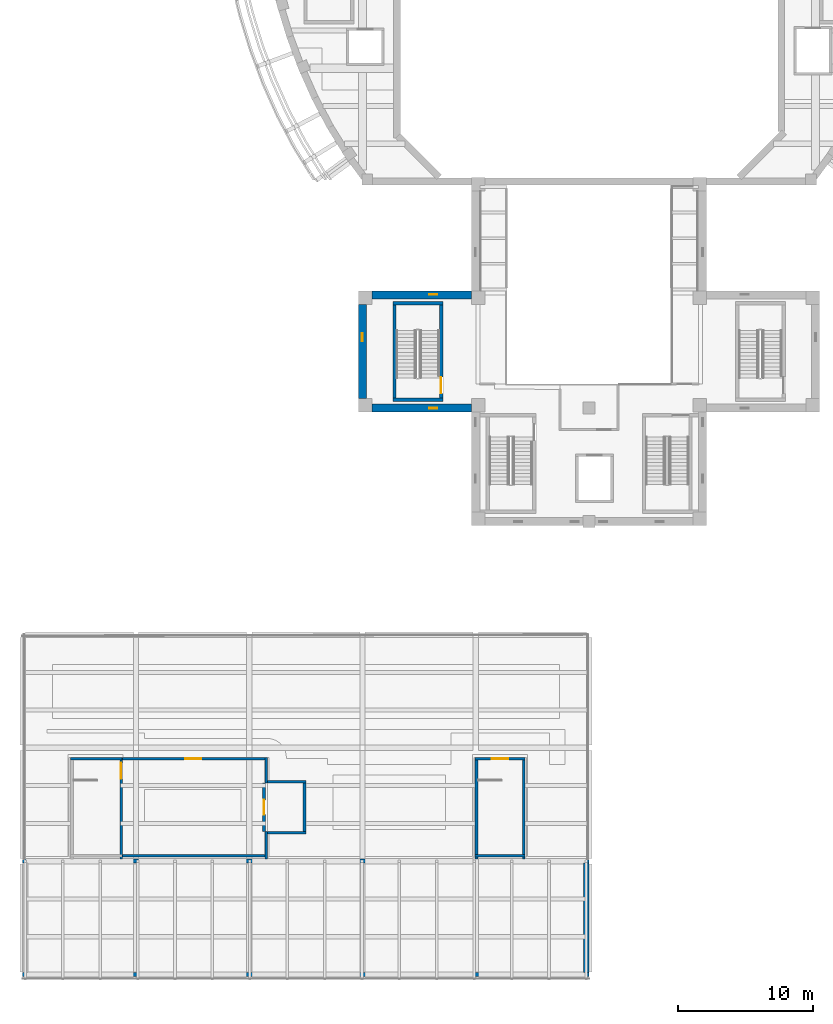
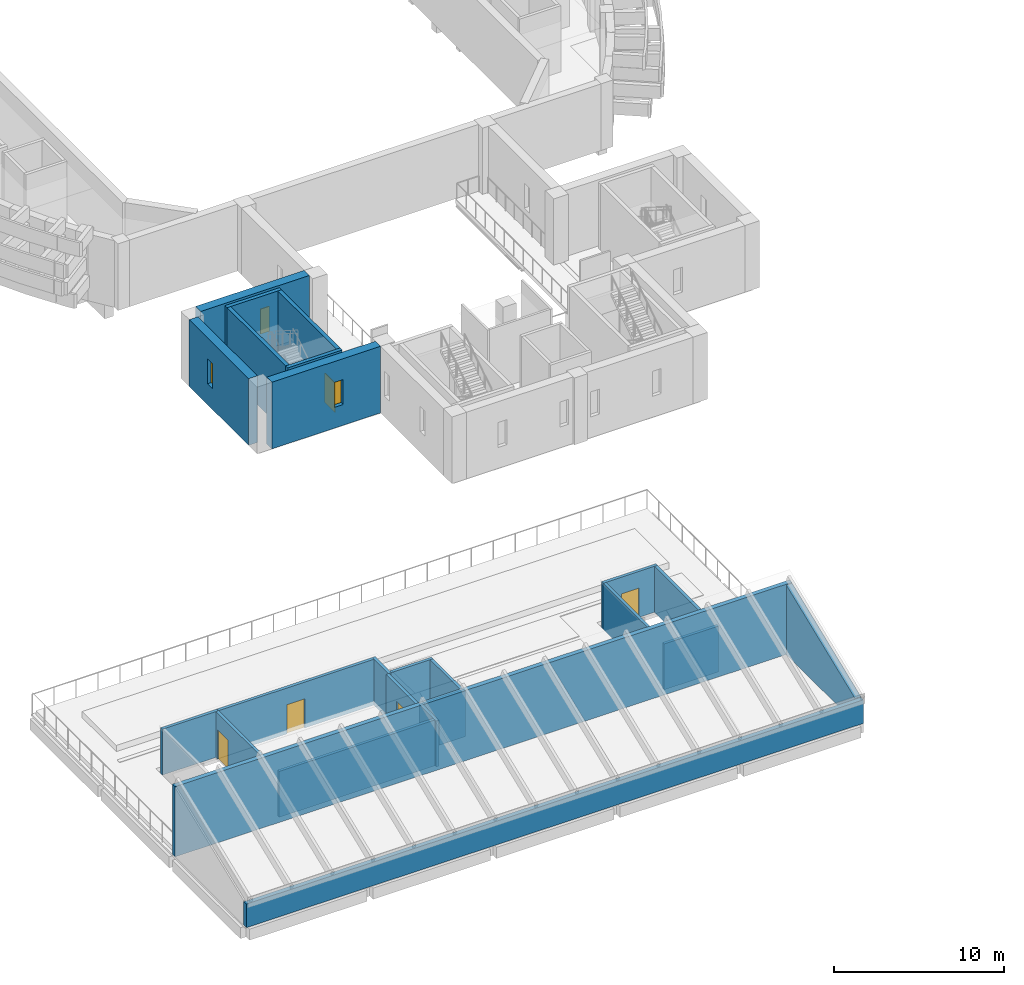
# One storey, part 6 of 37: 24 walls, 5 doors, 3 windows, 8 openings.
"""IFC4 building model written with IfcOpenShell, lengths in metres."""

from ifc_helpers import new_model, si_unit, direction, frame, frame_2d, origin, place, context, subcontext, project, spatial, polyline, rectangle, outline, extrude, material, layer, layer_set, type_object, element, fill, save


model = new_model("IFC4")

# Units and contexts
model_context = context("Model", 3, precision=1e-05, world=origin(), true_north=direction((0.0, 1.0)))
body_context = subcontext(model_context, "Body", "Model", "MODEL_VIEW")
ifc_project = project(units=[si_unit("LENGTHUNIT", "METRE"), si_unit("AREAUNIT", "SQUARE_METRE"), si_unit("VOLUMEUNIT", "CUBIC_METRE"), si_unit("PLANEANGLEUNIT", "RADIAN"), si_unit("MASSUNIT", "GRAM", prefix="KILO")], contexts=[model_context])

# Site, building, storey
site_placement = place(None, origin())
site = spatial("IfcSite", under=ifc_project, at=site_placement, CompositionType="ELEMENT")
building_placement = place(site_placement, origin())
building = spatial("IfcBuilding", under=site, at=building_placement, Name="Larchfold Concert Hall", CompositionType="ELEMENT")
storey_placement = place(building_placement, frame((0.0, 0.0, 19.199951171875)))
storey = spatial("IfcBuildingStorey", under=building, at=storey_placement, Name="L04", CompositionType="ELEMENT", Elevation=19.199951171875)

# Walls
ifc_material_1 = material(Name="Larch cladding on mineral wool and CLT", Category="wood")
ifc_layer_1 = layer(ifc_material_1, 0.39990234375)
ifc_layer_set_1 = layer_set([ifc_layer_1], Name="Larch cladding on mineral wool and CLT")
wall_type_1 = type_object("IfcWallType", Name="Larch clad infill wall 400", PredefinedType="SOLIDWALL", material=ifc_layer_set_1)
wall_1_placement = place(storey_placement, frame((42.39990234375, 0.75, 0.0), z_axis=(0.0, 0.0, 1.0), x_axis=(0.0, 1.0, 0.0)))
element("IfcWall", 1, at=wall_1_placement, inside=storey, type_object=wall_type_1, Name="Infill wall W5197", PredefinedType="SOLIDWALL", context=body_context, shape_type="SweptSolid", body=[
    extrude(outline(polyline([(0.0, 0.0), (8.10009765625, 0.0), (8.10009765625, 4.99609375), (0.0, 1.756103515625), (0.0, 0.0)])), frame((0.0, 0.199951171875, 0.0), z_axis=(0.0, -1.0, 0.0), x_axis=(1.0, 0.0, 0.0)), (0.0, 0.0, 1.0), 0.39990234375),
])
ifc_material_2 = material(Name="Concrete C40/50", Category="concrete")
ifc_layer_2 = layer(ifc_material_2, 0.199951171875)
ifc_layer_set_2 = layer_set([ifc_layer_2], Name="Concrete C40/50")
wall_type_2 = type_object("IfcWallType", Name="Wall RC 200 head house", PredefinedType="SOLIDWALL", material=ifc_layer_set_2)
wall_2_placement = place(storey_placement, frame((7.949951171875, 9.39990234375, 0.0), z_axis=(0.0, 0.0, 1.0), x_axis=(1.0, 0.0, 0.0)))
element("IfcWall", 2, at=wall_2_placement, inside=storey, type_object=wall_type_2, Name="Wall HW0001", PredefinedType="SOLIDWALL", context=body_context, shape_type="SweptSolid", body=[
    extrude(rectangle(XDim=10.60009765625, YDim=0.199951171875, at=frame_2d((5.300048828125, 0.0))), origin(), (0.0, 0.0, 1.0), 3.300048828125),
])

# Wall, opening, door
wall_3_placement = place(storey_placement, frame((7.949951171875, 16.60009765625, 0.0), z_axis=(0.0, 0.0, 1.0), x_axis=(1.0, 0.0, 0.0)))
wall_3 = element("IfcWall", 3, at=wall_3_placement, inside=storey, type_object=wall_type_2, Name="Wall HW0002", PredefinedType="SOLIDWALL", context=body_context, shape_type="SweptSolid", body=[
    extrude(rectangle(XDim=10.60009765625, YDim=0.199951171875, at=frame_2d((5.300048828125, 0.0))), origin(), (0.0, 0.0, 1.0), 3.300048828125),
])
opening_1_placement = place(wall_3_placement, frame((4.699951171875, 0.0, 0.0)))
opening_1 = element("IfcOpeningElement", 4, at=opening_1_placement, cuts=wall_3, Name="Opening D-L04-135", PredefinedType="OPENING", context=body_context, shape_type="SweptSolid", body=[
    extrude(rectangle(XDim=1.199951171875, YDim=2.10009765625, at=frame_2d((0.60009765625, 1.050048828125))), frame((0.0, 0.10986328125, 0.0), z_axis=(0.0, -1.0, 0.0), x_axis=(1.0, 0.0, 0.0)), (0.0, 0.0, 1.0), 0.219970703125),
])
ifc_material_3 = material(Name="Timber door leaf", Category="wood")
door_type_1 = type_object("IfcDoorType", Name="Large room door pair 1200 x 2100", OperationType="SINGLE_SWING_LEFT", PredefinedType="DOOR", material=ifc_material_3)
door_1_placement = place(opening_1_placement, origin())
door_1 = element("IfcDoor", 5, at=door_1_placement, inside=storey, type_object=door_type_1, Name="Door D-L04-135", OperationType="DOUBLE_DOOR_SINGLE_SWING", OverallHeight=2.10009765625, OverallWidth=1.199951171875, PredefinedType="DOOR", context=body_context, shape_type="SweptSolid", body=[
    extrude(rectangle(XDim=1.199951171875, YDim=2.10009765625, at=frame_2d((0.60009765625, 1.050048828125))), frame((0.0, 0.02490234375, 0.0), z_axis=(0.0, -1.0, 0.0), x_axis=(1.0, 0.0, 0.0)), (0.0, 0.0, 1.0), 0.050048828125),
])
fill(opening_1, door_1)

# Walls
wall_4_placement = place(storey_placement, frame((18.64990234375, 9.14990234375, 0.0), z_axis=(0.0, 0.0, 1.0), x_axis=(0.0, 1.0, 0.0)))
element("IfcWall", 6, at=wall_4_placement, inside=storey, type_object=wall_type_2, Name="Wall HW0003", PredefinedType="SOLIDWALL", context=body_context, shape_type="SweptSolid", body=[
    extrude(rectangle(XDim=2.050048828125, YDim=0.199951171875, at=frame_2d((1.02490234375, 0.0))), origin(), (0.0, 0.0, 1.0), 3.300048828125),
])
wall_5_placement = place(storey_placement, frame((18.64990234375, 14.800048828125, 0.0), z_axis=(0.0, 0.0, 1.0), x_axis=(0.0, 1.0, 0.0)))
element("IfcWall", 7, at=wall_5_placement, inside=storey, type_object=wall_type_2, Name="Wall HW0004", PredefinedType="SOLIDWALL", context=body_context, shape_type="SweptSolid", body=[
    extrude(rectangle(XDim=1.89990234375, YDim=0.199951171875, at=frame_2d((0.949951171875, 0.0))), origin(), (0.0, 0.0, 1.0), 3.300048828125),
])

# Wall, opening, door
wall_6_placement = place(storey_placement, frame((7.89990234375, 9.14990234375, 0.0), z_axis=(0.0, 0.0, 1.0), x_axis=(0.0, 1.0, 0.0)))
wall_6 = element("IfcWall", 8, at=wall_6_placement, inside=storey, type_object=wall_type_2, Name="Wall HW0005", PredefinedType="SOLIDWALL", context=body_context, shape_type="SweptSolid", body=[
    extrude(rectangle(XDim=7.550048828125, YDim=0.199951171875, at=frame_2d((3.77490234375, 0.0))), origin(), (0.0, 0.0, 1.0), 3.300048828125),
])
opening_2_placement = place(wall_6_placement, frame((5.949951171875, 0.0, 0.0)))
opening_2 = element("IfcOpeningElement", 9, at=opening_2_placement, cuts=wall_6, Name="Opening D-L04-134", PredefinedType="OPENING", context=body_context, shape_type="SweptSolid", body=[
    extrude(rectangle(XDim=1.199951171875, YDim=2.10009765625, at=frame_2d((0.60009765625, 1.050048828125))), frame((0.0, 0.10986328125, 0.0), z_axis=(0.0, -1.0, 0.0), x_axis=(1.0, 0.0, 0.0)), (0.0, 0.0, 1.0), 0.219970703125),
])
ifc_material_4 = material(Name="Timber door leaf", Category="wood")
door_type_2 = type_object("IfcDoorType", Name="Stair enclosure door pair 1200 x 2100 FD60", OperationType="SINGLE_SWING_LEFT", PredefinedType="DOOR", material=ifc_material_4)
door_2_placement = place(opening_2_placement, origin())
door_2 = element("IfcDoor", 10, at=door_2_placement, inside=storey, type_object=door_type_2, Name="Door D-L04-134", OperationType="DOUBLE_DOOR_SINGLE_SWING", OverallHeight=2.10009765625, OverallWidth=1.199951171875, PredefinedType="DOOR", context=body_context, shape_type="SweptSolid", body=[
    extrude(rectangle(XDim=1.199951171875, YDim=2.10009765625, at=frame_2d((0.60009765625, 1.050048828125))), frame((0.0, 0.02490234375, 0.0), z_axis=(0.0, -1.0, 0.0), x_axis=(1.0, 0.0, 0.0)), (0.0, 0.0, 1.0), 0.050048828125),
])
fill(opening_2, door_2)

# Walls
wall_7_placement = place(storey_placement, frame((4.14990234375, 16.60009765625, 0.0), z_axis=(0.0, 0.0, 1.0), x_axis=(1.0, 0.0, 0.0)))
element("IfcWall", 11, at=wall_7_placement, inside=storey, type_object=wall_type_2, Name="Wall HW0007", PredefinedType="SOLIDWALL", context=body_context, shape_type="SweptSolid", body=[
    extrude(rectangle(XDim=3.800048828125, YDim=0.199951171875, at=frame_2d((1.89990234375, 0.0))), origin(), (0.0, 0.0, 1.0), 3.300048828125),
])
wall_8_placement = place(storey_placement, frame((34.14990234375, 9.39990234375, 0.0), z_axis=(0.0, 0.0, 1.0), x_axis=(1.0, 0.0, 0.0)))
element("IfcWall", 12, at=wall_8_placement, inside=storey, type_object=wall_type_2, Name="Wall HW0009", PredefinedType="SOLIDWALL", context=body_context, shape_type="SweptSolid", body=[
    extrude(rectangle(XDim=3.7001953125, YDim=0.199951171875, at=frame_2d((1.85009765625, 0.0))), origin(), (0.0, 0.0, 1.0), 3.300048828125),
])

# Wall, opening, door
wall_9_placement = place(storey_placement, frame((34.14990234375, 16.60009765625, 0.0), z_axis=(0.0, 0.0, 1.0), x_axis=(1.0, 0.0, 0.0)))
wall_9 = element("IfcWall", 13, at=wall_9_placement, inside=storey, type_object=wall_type_2, Name="Wall HW0010", PredefinedType="SOLIDWALL", context=body_context, shape_type="SweptSolid", body=[
    extrude(rectangle(XDim=3.7001953125, YDim=0.199951171875, at=frame_2d((1.85009765625, 0.0))), origin(), (0.0, 0.0, 1.0), 3.300048828125),
])
opening_3_placement = place(wall_9_placement, frame((1.25, 0.0, 0.0)))
opening_3 = element("IfcOpeningElement", 14, at=opening_3_placement, cuts=wall_9, Name="Opening D-L04-136", PredefinedType="OPENING", context=body_context, shape_type="SweptSolid", body=[
    extrude(rectangle(XDim=1.199951171875, YDim=2.10009765625, at=frame_2d((0.60009765625, 1.050048828125))), frame((0.0, 0.10986328125, 0.0), z_axis=(0.0, -1.0, 0.0), x_axis=(1.0, 0.0, 0.0)), (0.0, 0.0, 1.0), 0.219970703125),
])
door_3_placement = place(opening_3_placement, origin())
door_3 = element("IfcDoor", 15, at=door_3_placement, inside=storey, type_object=door_type_2, Name="Door D-L04-136", OperationType="DOUBLE_DOOR_SINGLE_SWING", OverallHeight=2.10009765625, OverallWidth=1.199951171875, PredefinedType="DOOR", context=body_context, shape_type="SweptSolid", body=[
    extrude(rectangle(XDim=1.199951171875, YDim=2.10009765625, at=frame_2d((0.60009765625, 1.050048828125))), frame((0.0, 0.02490234375, 0.0), z_axis=(0.0, -1.0, 0.0), x_axis=(1.0, 0.0, 0.0)), (0.0, 0.0, 1.0), 0.050048828125),
])
fill(opening_3, door_3)

# Walls
for number, where, z_axis, x_axis, name in (
    (16, (34.25, 9.14990234375, 0.0), (0.0, 0.0, 1.0), (0.0, 1.0, 0.0), "Wall HW0011"),
    (17, (37.75, 9.14990234375, 0.0), (0.0, 0.0, 1.0), (0.0, 1.0, 0.0), "Wall HW0012"),
):
    element("IfcWall", number, at=place(storey_placement, frame(where, z_axis=z_axis, x_axis=x_axis)), inside=storey, type_object=wall_type_2, Name=name, PredefinedType="SOLIDWALL", context=body_context, shape_type="SweptSolid", body=[
        extrude(rectangle(XDim=7.550048828125, YDim=0.199951171875, at=frame_2d((3.77490234375, 0.0))), origin(), (0.0, 0.0, 1.0), 3.300048828125),
    ])
for number, where, z_axis, x_axis, name in (
    (18, (18.75, 11.099853515625, 0.0), (0.0, 0.0, 1.0), (1.0, 0.0, 0.0), "Wall HW0013"),
    (19, (18.75, 14.900146484375, 0.0), (0.0, 0.0, 1.0), (1.0, 0.0, 0.0), "Wall HW0014"),
):
    element("IfcWall", number, at=place(storey_placement, frame(where, z_axis=z_axis, x_axis=x_axis)), inside=storey, type_object=wall_type_2, Name=name, PredefinedType="SOLIDWALL", context=body_context, shape_type="SweptSolid", body=[
        extrude(rectangle(XDim=2.849853515625, YDim=0.199951171875, at=frame_2d((1.4248046875, 0.0))), origin(), (0.0, 0.0, 1.0), 3.300048828125),
    ])
wall_10_placement = place(storey_placement, frame((21.5, 11.0, 0.0), z_axis=(0.0, 0.0, 1.0), x_axis=(0.0, 1.0, 0.0)))
element("IfcWall", 20, at=wall_10_placement, inside=storey, type_object=wall_type_2, Name="Wall HW0015", PredefinedType="SOLIDWALL", context=body_context, shape_type="SweptSolid", body=[
    extrude(rectangle(XDim=4.0, YDim=0.199951171875, at=frame_2d((2.0, 0.0))), origin(), (0.0, 0.0, 1.0), 3.300048828125),
])

# Wall, opening, door
wall_11_placement = place(storey_placement, frame((18.5, 11.199951171875, 0.0), z_axis=(0.0, 0.0, 1.0), x_axis=(0.0, 1.0, 0.0)))
wall_11 = element("IfcWall", 21, at=wall_11_placement, inside=storey, type_object=wall_type_2, Name="Wall HW0016", PredefinedType="SOLIDWALL", context=body_context, shape_type="SweptSolid", body=[
    extrude(rectangle(XDim=3.60009765625, YDim=0.199951171875, at=frame_2d((1.800048828125, 0.0))), origin(), (0.0, 0.0, 1.0), 3.300048828125),
])
opening_4_placement = place(wall_11_placement, frame((1.25, 0.0, 0.0)))
opening_4 = element("IfcOpeningElement", 22, at=opening_4_placement, cuts=wall_11, Name="Opening LD-LF10", PredefinedType="OPENING", context=body_context, shape_type="SweptSolid", body=[
    extrude(rectangle(XDim=1.10009765625, YDim=2.10009765625, at=frame_2d((0.550048828125, 1.050048828125))), frame((0.0, 0.10986328125, 0.0), z_axis=(0.0, -1.0, 0.0), x_axis=(1.0, 0.0, 0.0)), (0.0, 0.0, 1.0), 0.219970703125),
])
ifc_material_5 = material(Name="Stainless steel sliding leaves", Category="steel")
door_type_3 = type_object("IfcDoorType", Name="Lift landing door sliding 1100 x 2100", OperationType="SLIDING_TO_LEFT", PredefinedType="DOOR", material=ifc_material_5)
door_4_placement = place(opening_4_placement, origin())
door_4 = element("IfcDoor", 23, at=door_4_placement, inside=storey, type_object=door_type_3, Name="Lift landing door LF10", OperationType="SLIDING_TO_LEFT", OverallHeight=2.10009765625, OverallWidth=1.10009765625, PredefinedType="DOOR", context=body_context, shape_type="SweptSolid", body=[
    extrude(rectangle(XDim=1.10009765625, YDim=2.10009765625, at=frame_2d((0.550048828125, 1.050048828125))), frame((0.0, 0.02490234375, 0.0), z_axis=(0.0, -1.0, 0.0), x_axis=(1.0, 0.0, 0.0)), (0.0, 0.0, 1.0), 0.050048828125),
])
fill(opening_4, door_4)

# Walls
ifc_material_6 = material(Name="Concrete C40/50", Category="concrete")
ifc_layer_3 = layer(ifc_material_6, 0.25)
ifc_layer_set_3 = layer_set([ifc_layer_3], Name="Concrete C40/50")
wall_type_3 = type_object("IfcWallType", Name="Wall RC 250 stair core", PredefinedType="SOLIDWALL", material=ifc_layer_set_3)
for number, where, z_axis, x_axis, name in (
    (24, (28.050048828125, 43.22509765625, 0.0), (0.0, 0.0, 1.0), (1.0, 0.0, 0.0), "Wall W0058"),
    (25, (28.050048828125, 50.375, 0.0), (0.0, 0.0, 1.0), (1.0, 0.0, 0.0), "Wall W0059"),
):
    element("IfcWall", number, at=place(storey_placement, frame(where, z_axis=z_axis, x_axis=x_axis)), inside=storey, type_object=wall_type_3, Name=name, PredefinedType="SOLIDWALL", context=body_context, shape_type="SweptSolid", body=[
        extrude(rectangle(XDim=3.699951171875, YDim=0.25, at=frame_2d((1.85009765625, 0.0))), origin(), (0.0, 0.0, 1.0), 4.800048828125),
    ])
wall_12_placement = place(storey_placement, frame((28.175048828125, 43.35009765625, 0.0), z_axis=(0.0, 0.0, 1.0), x_axis=(0.0, 1.0, 0.0)))
element("IfcWall", 26, at=wall_12_placement, inside=storey, type_object=wall_type_3, Name="Wall W0060", PredefinedType="SOLIDWALL", context=body_context, shape_type="SweptSolid", body=[
    extrude(rectangle(XDim=6.89990234375, YDim=0.25, at=frame_2d((3.449951171875, 0.0))), origin(), (0.0, 0.0, 1.0), 4.800048828125),
])

# Wall, opening, door
wall_13_placement = place(storey_placement, frame((31.625, 43.35009765625, 0.0), z_axis=(0.0, 0.0, 1.0), x_axis=(0.0, 1.0, 0.0)))
wall_13 = element("IfcWall", 27, at=wall_13_placement, inside=storey, type_object=wall_type_3, Name="Wall W0061", PredefinedType="SOLIDWALL", context=body_context, shape_type="SweptSolid", body=[
    extrude(rectangle(XDim=6.89990234375, YDim=0.25, at=frame_2d((3.449951171875, 0.0))), origin(), (0.0, 0.0, 1.0), 4.800048828125),
])
opening_5_placement = place(wall_13_placement, frame((0.35009765625, 0.0, 0.0)))
opening_5 = element("IfcOpeningElement", 28, at=opening_5_placement, cuts=wall_13, Name="Opening D-L04-127", PredefinedType="OPENING", context=body_context, shape_type="SweptSolid", body=[
    extrude(rectangle(XDim=1.199951171875, YDim=2.10009765625, at=frame_2d((0.60009765625, 1.050048828125))), frame((0.0, 0.135009765625, 0.0), z_axis=(0.0, -1.0, 0.0), x_axis=(1.0, 0.0, 0.0)), (0.0, 0.0, 1.0), 0.27001953125),
])
door_5_placement = place(opening_5_placement, origin())
door_5 = element("IfcDoor", 29, at=door_5_placement, inside=storey, type_object=door_type_2, Name="Door D-L04-127", OperationType="DOUBLE_DOOR_SINGLE_SWING", OverallHeight=2.10009765625, OverallWidth=1.199951171875, PredefinedType="DOOR", context=body_context, shape_type="SweptSolid", body=[
    extrude(rectangle(XDim=1.199951171875, YDim=2.10009765625, at=frame_2d((0.60009765625, 1.050048828125))), frame((0.0, 0.02490234375, 0.0), z_axis=(0.0, -1.0, 0.0), x_axis=(1.0, 0.0, 0.0)), (0.0, 0.0, 1.0), 0.050048828125),
])
fill(opening_5, door_5)

# Walls
ifc_material_7 = material(Name="Concrete C40/50", Category="concrete")
ifc_layer_4 = layer(ifc_material_7, 0.300048828125)
ifc_layer_set_4 = layer_set([ifc_layer_4], Name="Concrete C40/50")
wall_type_4 = type_object("IfcWallType", Name="Wall RC 300 roof bearing", PredefinedType="SOLIDWALL", material=ifc_layer_set_4)
wall_14_placement = place(storey_placement, frame((0.60009765625, 0.60009765625, 0.0), z_axis=(0.0, 0.0, 1.0), x_axis=(1.0, 0.0, 0.0)))
element("IfcWall", 30, at=wall_14_placement, inside=storey, type_object=wall_type_4, Name="Wall WB04", PredefinedType="SOLIDWALL", context=body_context, shape_type="SweptSolid", body=[
    extrude(rectangle(XDim=42.0, YDim=0.300048828125, at=frame_2d((21.0, 0.0))), origin(), (0.0, 0.0, 1.0), 1.6962890625),
])
wall_15_placement = place(storey_placement, frame((0.60009765625, 9.0, 0.0), z_axis=(0.0, 0.0, 1.0), x_axis=(1.0, 0.0, 0.0)))
element("IfcWall", 31, at=wall_15_placement, inside=storey, type_object=wall_type_4, Name="Wall WB05", PredefinedType="SOLIDWALL", context=body_context, shape_type="SweptSolid", body=[
    extrude(rectangle(XDim=42.0, YDim=0.300048828125, at=frame_2d((21.0, 0.0))), origin(), (0.0, 0.0, 1.0), 5.05615234375),
])

# Wall, opening, window
ifc_material_8 = material(Name="Concrete C40/50", Category="concrete")
ifc_layer_5 = layer(ifc_material_8, 0.60009765625)
ifc_layer_set_5 = layer_set([ifc_layer_5], Name="Concrete C40/50")
wall_type_5 = type_object("IfcWallType", Name="Wall RC 600 stage house", PredefinedType="SOLIDWALL", material=ifc_layer_set_5)
wall_16_placement = place(storey_placement, frame((33.89990234375, 51.0, 0.0), z_axis=(0.0, 0.0, 1.0), x_axis=(-1.0, 0.0, 0.0)))
wall_16 = element("IfcWall", 32, at=wall_16_placement, inside=storey, type_object=wall_type_5, Name="Wall W0013", PredefinedType="SOLIDWALL", context=body_context, shape_type="SweptSolid", body=[
    extrude(rectangle(XDim=7.39990234375, YDim=0.60009765625, at=frame_2d((3.699951171875, 0.0))), origin(), (0.0, 0.0, 1.0), 4.800048828125),
])
opening_6_placement = place(wall_16_placement, frame((2.5498046875, 0.0, 1.5)))
opening_6 = element("IfcOpeningElement", 33, at=opening_6_placement, cuts=wall_16, Name="Opening WN-L04-006", PredefinedType="OPENING", context=body_context, shape_type="SweptSolid", body=[
    extrude(rectangle(XDim=0.60009765625, YDim=1.800048828125, at=frame_2d((0.300048828125, 0.89990234375))), frame((0.0, 0.31005859375, 0.0), z_axis=(0.0, -1.0, 0.0), x_axis=(1.0, 0.0, 0.0)), (0.0, 0.0, 1.0), 0.6201171875),
])
ifc_material_9 = material(Name="Anodised graphite aluminium frame with glass", Category="aluminium")
window_type = type_object("IfcWindowType", Name="Gallery slit window 600x1800", PartitioningType="SINGLE_PANEL", PredefinedType="WINDOW", material=ifc_material_9)
window_1_placement = place(opening_6_placement, origin())
window_1 = element("IfcWindow", 34, at=window_1_placement, inside=storey, type_object=window_type, Name="Window WN-L04-006", OverallHeight=1.800048828125, OverallWidth=0.60009765625, PartitioningType="SINGLE_PANEL", PredefinedType="WINDOW", context=body_context, shape_type="SweptSolid", body=[
    extrude(rectangle(XDim=0.60009765625, YDim=1.800048828125, at=frame_2d((0.300048828125, 0.89990234375))), frame((0.0, 0.010009765625, 0.0), z_axis=(0.0, -1.0, 0.0), x_axis=(1.0, 0.0, 0.0)), (0.0, 0.0, 1.0), 0.06005859375),
])
fill(opening_6, window_1)

wall_17_placement = place(storey_placement, frame((25.800048828125, 50.300048828125, 0.0), z_axis=(0.0, 0.0, 1.0), x_axis=(0.0, -1.0, 0.0)))
wall_17 = element("IfcWall", 35, at=wall_17_placement, inside=storey, type_object=wall_type_5, Name="Wall W0014", PredefinedType="SOLIDWALL", context=body_context, shape_type="SweptSolid", body=[
    extrude(rectangle(XDim=7.0, YDim=0.60009765625, at=frame_2d((3.5, 0.0))), origin(), (0.0, 0.0, 1.0), 4.800048828125),
])
opening_7_placement = place(wall_17_placement, frame((2.150146484375, 0.0, 1.5)))
opening_7 = element("IfcOpeningElement", 36, at=opening_7_placement, cuts=wall_17, Name="Opening WN-L04-007", PredefinedType="OPENING", context=body_context, shape_type="SweptSolid", body=[
    extrude(rectangle(XDim=0.60009765625, YDim=1.800048828125, at=frame_2d((0.300048828125, 0.89990234375))), frame((0.0, 0.31005859375, 0.0), z_axis=(0.0, -1.0, 0.0), x_axis=(1.0, 0.0, 0.0)), (0.0, 0.0, 1.0), 0.6201171875),
])
window_2_placement = place(opening_7_placement, origin())
window_2 = element("IfcWindow", 37, at=window_2_placement, inside=storey, type_object=window_type, Name="Window WN-L04-007", OverallHeight=1.800048828125, OverallWidth=0.60009765625, PartitioningType="SINGLE_PANEL", PredefinedType="WINDOW", context=body_context, shape_type="SweptSolid", body=[
    extrude(rectangle(XDim=0.60009765625, YDim=1.800048828125, at=frame_2d((0.300048828125, 0.89990234375))), frame((0.0, 0.010009765625, 0.0), z_axis=(0.0, -1.0, 0.0), x_axis=(1.0, 0.0, 0.0)), (0.0, 0.0, 1.0), 0.06005859375),
])
fill(opening_7, window_2)

wall_18_placement = place(storey_placement, frame((26.5, 42.60009765625, 0.0), z_axis=(0.0, 0.0, 1.0), x_axis=(1.0, 0.0, 0.0)))
wall_18 = element("IfcWall", 38, at=wall_18_placement, inside=storey, type_object=wall_type_5, Name="Wall W0015", PredefinedType="SOLIDWALL", context=body_context, shape_type="SweptSolid", body=[
    extrude(rectangle(XDim=7.39990234375, YDim=0.60009765625, at=frame_2d((3.699951171875, 0.0))), origin(), (0.0, 0.0, 1.0), 4.800048828125),
])
opening_8_placement = place(wall_18_placement, frame((4.25, 0.0, 1.5)))
opening_8 = element("IfcOpeningElement", 39, at=opening_8_placement, cuts=wall_18, Name="Opening WN-L04-008", PredefinedType="OPENING", context=body_context, shape_type="SweptSolid", body=[
    extrude(rectangle(XDim=0.60009765625, YDim=1.800048828125, at=frame_2d((0.300048828125, 0.89990234375))), frame((0.0, 0.31005859375, 0.0), z_axis=(0.0, -1.0, 0.0), x_axis=(1.0, 0.0, 0.0)), (0.0, 0.0, 1.0), 0.6201171875),
])
window_3_placement = place(opening_8_placement, origin())
window_3 = element("IfcWindow", 40, at=window_3_placement, inside=storey, type_object=window_type, Name="Window WN-L04-008", OverallHeight=1.800048828125, OverallWidth=0.60009765625, PartitioningType="SINGLE_PANEL", PredefinedType="WINDOW", context=body_context, shape_type="SweptSolid", body=[
    extrude(rectangle(XDim=0.60009765625, YDim=1.800048828125, at=frame_2d((0.300048828125, 0.89990234375))), frame((0.0, 0.010009765625, 0.0), z_axis=(0.0, -1.0, 0.0), x_axis=(1.0, 0.0, 0.0)), (0.0, 0.0, 1.0), 0.06005859375),
])
fill(opening_8, window_3)

save(model, "model.ifc")
